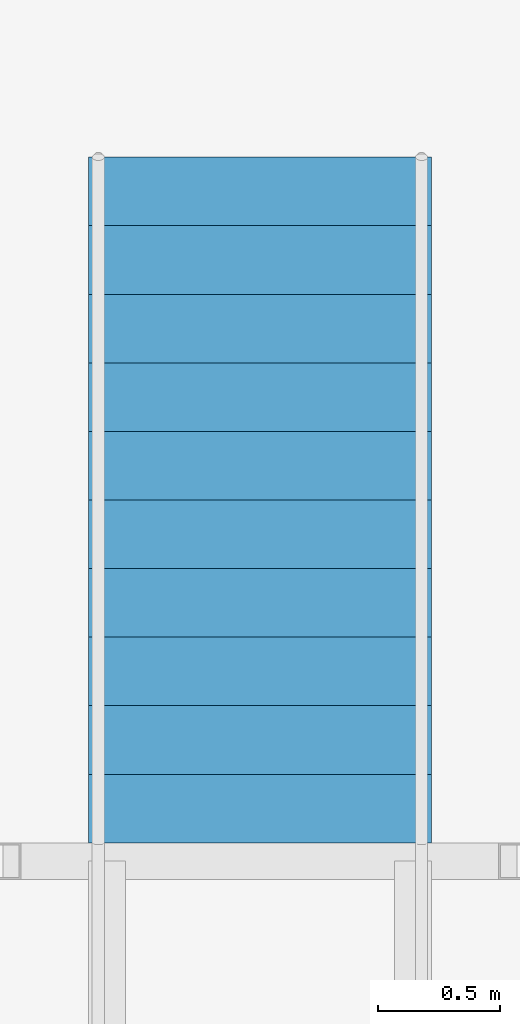
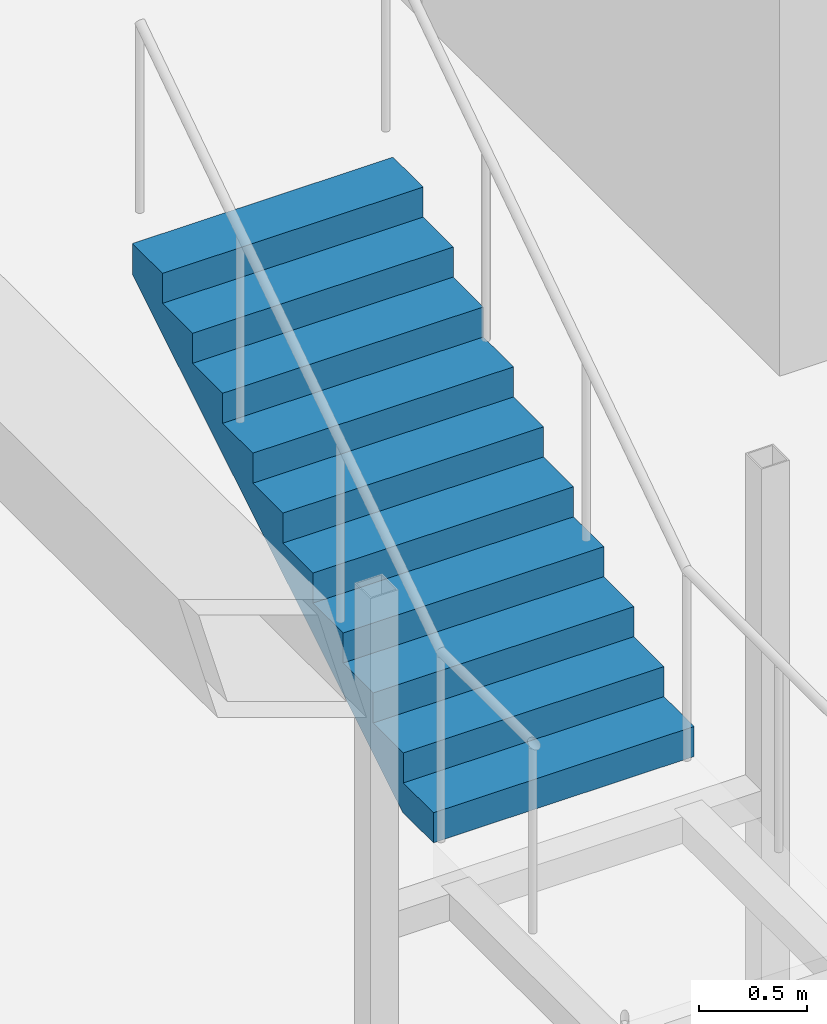
# One storey, part 25 of 26: 1 stair flight, 1 element without a shape of its own.
"""IFC4 building model written with IfcOpenShell, lengths in metres."""

import ifcopenshell
import ifcopenshell.guid

model = None  # the IFC model being written
_history = None  # IfcOwnerHistory: only IFC2X3 demands one
_inside = {}  # id of a spatial element -> (the spatial element, [elements in it])
_under = {}  # id of a project, library or spatial element -> (it, [spatial elements below it])
_declared = {}  # id of a project -> (the project, [libraries it declares])
_typed = {}  # id of a type object -> (the type object, [elements of that type])
_made_of = {}  # id of a material, layer set ... -> (it, [elements and type objects made of it])


def new_model(schema):
    """Start an empty IFC model of exactly this schema.

    Asked for "IFC4X3", IfcOpenShell would pick the latest addendum, in which some entities
    have other attributes; the version numbers below select the first issue.
    IFC2X3 requires an IfcOwnerHistory on every rooted entity: one is made here for all.
    """
    global model, _history
    if schema == "IFC4X3":
        model = ifcopenshell.file(schema_version=(4, 3, 0, 0))
    else:
        model = ifcopenshell.file(schema=schema)
    _inside.clear()
    _under.clear()
    _declared.clear()
    _typed.clear()
    _made_of.clear()
    _history = None
    if model.schema == "IFC2X3":
        org = make("IfcOrganization", Name="unknown")
        user = make(
            "IfcPersonAndOrganization",
            ThePerson=make("IfcPerson", FamilyName="unknown"),
            TheOrganization=org,
        )
        app = make(
            "IfcApplication",
            ApplicationDeveloper=org,
            Version="unknown",
            ApplicationFullName="unknown",
            ApplicationIdentifier="unknown",
        )
        _history = make(
            "IfcOwnerHistory",
            OwningUser=user,
            OwningApplication=app,
            ChangeAction="ADDED",
            CreationDate=0,
        )
    return model


def make(cls, **values):
    """One entity of the class cls with the attributes given. An attribute that is None is left unset."""
    return model.create_entity(
        cls, **{name: value for name, value in values.items() if value is not None}
    )


def rooted(cls, **values):
    """An entity with a GlobalId (a new one), such as an element, a storey or a relation."""
    return make(cls, GlobalId=ifcopenshell.guid.new(), OwnerHistory=_history, **values)


def si_unit(unit_type, name, prefix=None):
    """IfcSIUnit, for example si_unit("LENGTHUNIT", "METRE", prefix="MILLI")."""
    return make("IfcSIUnit", UnitType=unit_type, Prefix=prefix, Name=name)


def assignment(units):
    """IfcUnitAssignment: the units of a project."""
    return None if units is None else make("IfcUnitAssignment", Units=units)


def point(xyz):
    """IfcCartesianPoint."""
    return None if xyz is None else make("IfcCartesianPoint", Coordinates=xyz)


def direction(xyz):
    """IfcDirection."""
    return None if xyz is None else make("IfcDirection", DirectionRatios=xyz)


def frame(location, z_axis=None, x_axis=None):
    """IfcAxis2Placement3D, a coordinate frame: its origin and axes. An axis left out is left unset."""
    return make(
        "IfcAxis2Placement3D",
        Location=point(location),
        Axis=direction(z_axis),
        RefDirection=direction(x_axis),
    )


def origin():
    """The frame at (0, 0, 0) with its axes left unset."""
    return frame((0.0, 0.0, 0.0))


def place(relative_to, where):
    """IfcLocalPlacement: puts the frame where relative to a parent placement (None: the world)."""
    return make(
        "IfcLocalPlacement", PlacementRelTo=relative_to, RelativePlacement=where
    )


def context(
    kind, dimensions, precision=None, world=None, true_north=None, identifier=None
):
    """IfcGeometricRepresentationContext, for example the 3D "Model" context."""
    return make(
        "IfcGeometricRepresentationContext",
        ContextIdentifier=identifier,
        ContextType=kind,
        CoordinateSpaceDimension=dimensions,
        Precision=precision,
        WorldCoordinateSystem=world,
        TrueNorth=true_north,
    )


def subcontext(parent, identifier, kind, view, scale=None):
    """IfcGeometricRepresentationSubContext, for example "Body" below "Model"."""
    return make(
        "IfcGeometricRepresentationSubContext",
        ContextIdentifier=identifier,
        ContextType=kind,
        ParentContext=parent,
        TargetScale=scale,
        TargetView=view,
    )


def project(units=None, contexts=None):
    """IfcProject with its units and contexts."""
    return rooted(
        "IfcProject",
        Name="project",
        RepresentationContexts=contexts,
        UnitsInContext=assignment(units),
    )


def spatial(cls, under=None, at=None, **own):
    """A site, building, storey or space (cls), placed at a placement, below another one or the project."""
    s = rooted(cls, ObjectPlacement=at, **own)
    if under is not None:
        _under.setdefault(under.id(), (under, []))[1].append(s)
    return s


def point_list(points):
    """IfcCartesianPointList2D or 3D."""
    cls = (
        "IfcCartesianPointList2D" if len(points[0]) == 2 else "IfcCartesianPointList3D"
    )
    return make(cls, CoordList=points)


def triangles(points, corners, closed=None, point_numbers=None):
    """IfcTriangulatedFaceSet: each triangle names its three corners, points numbered from 1."""
    return make(
        "IfcTriangulatedFaceSet",
        Coordinates=point_list(points),
        Closed=closed,
        CoordIndex=corners,
        PnIndex=point_numbers,
    )


def shape(context_of_items, identifier, shape_type, items):
    """IfcShapeRepresentation: the items that make up one representation, for example the "Body"."""
    return make(
        "IfcShapeRepresentation",
        ContextOfItems=context_of_items,
        RepresentationIdentifier=identifier,
        RepresentationType=shape_type,
        Items=items,
    )


def material(Name=None, Category=None):
    """IfcMaterial."""
    return make("IfcMaterial", Name=Name, Category=Category)


def made_of(thing, what):
    """Note that an element or type object is made of a material, layer set ...; save() writes the relation."""
    if what is not None:
        _made_of.setdefault(what.id(), (what, []))[1].append(thing)
    return thing


def type_object(cls, material=None, **own):
    """A type object (cls), such as IfcWallType, which elements share."""
    return made_of(rooted(cls, **own), material)


def element(
    cls,
    number,
    at=None,
    inside=None,
    cuts=None,
    type_object=None,
    material=None,
    context=None,
    identifier="Body",
    shape_type=None,
    held_by="IfcProductDefinitionShape",
    body=None,
    shapes=None,
    **own,
):
    """One element of the class cls, such as IfcWall. Its Tag is "e" and its number.

    at: its placement. inside: the storey or other place that contains it. cuts: it is an
    opening in that element (IfcRelVoidsElement). A single representation is given by context,
    identifier, shape_type and body (its items); several are given by shapes. held_by: the class
    of the entity that holds the representations. save() writes the other relations.
    """
    e = rooted(cls, Tag="e%d" % number, ObjectPlacement=at, **own)
    if body is not None:
        shapes = [shape(context, identifier, shape_type, body)]
    if shapes is not None:
        e.Representation = make(held_by, Representations=shapes)
    if inside is not None:
        _inside.setdefault(inside.id(), (inside, []))[1].append(e)
    if cuts is not None:
        rooted(
            "IfcRelVoidsElement", RelatingBuildingElement=cuts, RelatedOpeningElement=e
        )
    if type_object is not None:
        _typed.setdefault(type_object.id(), (type_object, []))[1].append(e)
    return made_of(e, material)


def aggregate(whole, parts):
    """IfcRelAggregates: a whole, such as a stair, and the parts it consists of."""
    return rooted("IfcRelAggregates", RelatingObject=whole, RelatedObjects=parts)


def save(model, path):
    """Write the relations noted so far, then the file.

    IfcRelAggregates (storeys below a building ...), IfcRelContainedInSpatialStructure (elements
    in a storey), IfcRelDefinesByType, IfcRelAssociatesMaterial and IfcRelDeclares: one each for
    every whole, place, type object, material and project.
    """
    for whole, parts in _under.values():
        aggregate(whole, parts)
    for where, things in _inside.values():
        rooted(
            "IfcRelContainedInSpatialStructure",
            RelatedElements=things,
            RelatingStructure=where,
        )
    for kind, things in _typed.values():
        rooted("IfcRelDefinesByType", RelatedObjects=things, RelatingType=kind)
    for what, things in _made_of.values():
        rooted("IfcRelAssociatesMaterial", RelatedObjects=things, RelatingMaterial=what)
    for by, libraries in _declared.values():
        rooted("IfcRelDeclares", RelatingContext=by, RelatedDefinitions=libraries)
    model.write(path)


model = new_model("IFC4")

# Units and contexts
model_context = context("Model", 3, precision=1e-05, world=origin(), true_north=direction((0.0, 1.0)))
body_context = subcontext(model_context, "Body", "Model", "MODEL_VIEW")
ifc_project = project(units=[si_unit("LENGTHUNIT", "METRE"), si_unit("AREAUNIT", "SQUARE_METRE"), si_unit("VOLUMEUNIT", "CUBIC_METRE"), si_unit("PLANEANGLEUNIT", "RADIAN"), si_unit("MASSUNIT", "GRAM", prefix="KILO")], contexts=[model_context])

# Site, building, storey
site_placement = place(None, origin())
site = spatial("IfcSite", under=ifc_project, at=site_placement, CompositionType="ELEMENT")
building_placement = place(site_placement, origin())
building = spatial("IfcBuilding", under=site, at=building_placement, Name="Orbita Commons", CompositionType="ELEMENT")
storey_placement = place(building_placement, frame((0.0, 0.0, 114.39990234375)))
storey = spatial("IfcBuildingStorey", under=building, at=storey_placement, Name="L28", CompositionType="ELEMENT", Elevation=114.39990234375)

# Stair, stair flight
ifc_material_1 = material(Name="Steel ASTM A992 stringers, precast concrete C40/50 terrazzo treads", Category="concrete")
stair_type = type_object("IfcStairType", Name="Feature stair 22 risers 170 x 280 x 1400", PredefinedType="STRAIGHT_RUN_STAIR", material=ifc_material_1)
stair_placement = place(storey_placement, origin())
stair = element("IfcStair", 1, at=stair_placement, inside=storey, type_object=stair_type, Name="Neighbourhood stair L28 to L29", PredefinedType="STRAIGHT_RUN_STAIR")
ifc_material_2 = material(Name="Steel ASTM A992 stringers, precast concrete C40/50 terrazzo treads", Category="concrete")
stair_flight_type = type_object("IfcStairFlightType", Name="Feature stair flight 11 risers 170 x 1400", PredefinedType="STRAIGHT", material=ifc_material_2)
stair_flight_placement = place(storey_placement, frame((7.60009765625, 45.010009765625, 1.875), z_axis=(0.0, 0.0, 1.0), x_axis=(0.0, 1.0, 0.0)))
stair_flight = element("IfcStairFlight", 2, at=stair_flight_placement, type_object=stair_flight_type, Name="FS flight 2", NumberOfRisers=11, NumberOfTreads=10, PredefinedType="STRAIGHT", RiserHeight=0.170454545, TreadLength=0.28, context=body_context, shape_type="Tessellation", body=[
    triangles([(0.0, 0.699951, 0.0), (0.0, 0.699951, 0.021307), (0.0, 0.583293, 0.021307), (0.0, 0.583293, 0.0), (0.0, 0.466634, 0.021307), (0.0, 0.466634, 0.0), (0.0, 0.349976, 0.021307), (0.0, 0.349976, 0.0), (0.0, 0.233317, 0.021307), (0.0, 0.233317, 0.0), (0.0, 0.116659, 0.021307), (0.0, 0.116659, 0.0), (0.0, 0.0, 0.021307), (0.0, 0.0, 0.0), (0.0, -0.116659, 0.021307), (0.0, -0.116659, 0.0), (0.0, -0.233317, 0.021307), (0.0, -0.233317, 0.0), (0.0, -0.349976, 0.021307), (0.0, -0.349976, 0.0), (0.0, -0.466634, 0.021307), (0.0, -0.466634, 0.0), (0.0, -0.583293, 0.021307), (0.0, -0.583293, 0.0), (0.0, -0.699951, 0.021307), (0.0, -0.699951, 0.0), (0.0, 0.699951, 0.042614), (0.0, 0.583293, 0.042614), (0.0, 0.466634, 0.042614), (0.0, 0.349976, 0.042614), (0.0, 0.233317, 0.042614), (0.0, 0.116659, 0.042614), (0.0, 0.0, 0.042614), (0.0, -0.116659, 0.042614), (0.0, -0.233317, 0.042614), (0.0, -0.349976, 0.042614), (0.0, -0.466634, 0.042614), (0.0, -0.583293, 0.042614), (0.0, -0.699951, 0.042614), (0.0, 0.699951, 0.06392), (0.0, 0.583293, 0.06392), (0.0, 0.466634, 0.06392), (0.0, 0.349976, 0.06392), (0.0, 0.233317, 0.06392), (0.0, 0.116659, 0.06392), (0.0, 0.0, 0.06392), (0.0, -0.116659, 0.06392), (0.0, -0.233317, 0.06392), (0.0, -0.349976, 0.06392), (0.0, -0.466634, 0.06392), (0.0, -0.583293, 0.06392), (0.0, -0.699951, 0.06392), (0.0, 0.699951, 0.085227), (0.0, 0.583293, 0.085227), (0.0, 0.466634, 0.085227), (0.0, 0.349976, 0.085227), (0.0, 0.233317, 0.085227), (0.0, 0.116659, 0.085227), (0.0, 0.0, 0.085227), (0.0, -0.116659, 0.085227), (0.0, -0.233317, 0.085227), (0.0, -0.349976, 0.085227), (0.0, -0.466634, 0.085227), (0.0, -0.583293, 0.085227), (0.0, -0.699951, 0.085227), (0.0, 0.699951, 0.106534), (0.0, 0.583293, 0.106534), (0.0, 0.466634, 0.106534), (0.0, 0.349976, 0.106534), (0.0, 0.233317, 0.106534), (0.0, 0.116659, 0.106534), (0.0, 0.0, 0.106534), (0.0, -0.116659, 0.106534), (0.0, -0.233317, 0.106534), (0.0, -0.349976, 0.106534), (0.0, -0.466634, 0.106534), (0.0, -0.583293, 0.106534), (0.0, -0.699951, 0.106534), (0.0, 0.699951, 0.127841), (0.0, 0.583293, 0.127841), (0.0, 0.466634, 0.127841), (0.0, 0.349976, 0.127841), (0.0, 0.233317, 0.127841), (0.0, 0.116659, 0.127841), (0.0, 0.0, 0.127841), (0.0, -0.116659, 0.127841), (0.0, -0.233317, 0.127841), (0.0, -0.349976, 0.127841), (0.0, -0.466634, 0.127841), (0.0, -0.583293, 0.127841), (0.0, -0.699951, 0.127841), (0.0, 0.699951, 0.149148), (0.0, 0.583293, 0.149148), (0.0, 0.466634, 0.149148), (0.0, 0.349976, 0.149148), (0.0, 0.233317, 0.149148), (0.0, 0.116659, 0.149148), (0.0, 0.0, 0.149148), (0.0, -0.116659, 0.149148), (0.0, -0.233317, 0.149148), (0.0, -0.349976, 0.149148), (0.0, -0.466634, 0.149148), (0.0, -0.583293, 0.149148), (0.0, -0.699951, 0.149148), (0.0, 0.699951, 0.170455), (0.0, 0.583293, 0.170455), (0.0, 0.466634, 0.170455), (0.0, 0.349976, 0.170455), (0.0, 0.233317, 0.170455), (0.0, 0.116659, 0.170455), (0.0, 0.0, 0.170455), (0.0, -0.116659, 0.170455), (0.0, -0.233317, 0.170455), (0.0, -0.349976, 0.170455), (0.0, -0.466634, 0.170455), (0.0, -0.583293, 0.170455), (0.0, -0.699951, 0.170455), (0.28, 0.699951, 0.170455), (0.28, 0.583293, 0.170455), (0.28, 0.466634, 0.170455), (0.28, 0.349976, 0.170455), (0.28, 0.233317, 0.170455), (0.28, 0.116659, 0.170455), (0.28, 0.0, 0.170455), (0.28, -0.116659, 0.170455), (0.28, -0.233317, 0.170455), (0.28, -0.349976, 0.170455), (0.28, -0.466634, 0.170455), (0.28, -0.583293, 0.170455), (0.28, -0.699951, 0.170455), (0.28, 0.699951, 0.340909), (0.28, 0.583293, 0.340909), (0.28, 0.466634, 0.340909), (0.28, 0.349976, 0.340909), (0.28, 0.233317, 0.340909), (0.28, 0.116659, 0.340909), (0.28, 0.0, 0.340909), (0.28, -0.116659, 0.340909), (0.28, -0.233317, 0.340909), (0.28, -0.349976, 0.340909), (0.28, -0.466634, 0.340909), (0.28, -0.583293, 0.340909), (0.28, -0.699951, 0.340909), (0.56, 0.699951, 0.340909), (0.56, 0.583293, 0.340909), (0.56, 0.466634, 0.340909), (0.56, 0.349976, 0.340909), (0.56, 0.233317, 0.340909), (0.56, 0.116659, 0.340909), (0.56, 0.0, 0.340909), (0.56, -0.116659, 0.340909), (0.56, -0.233317, 0.340909), (0.56, -0.349976, 0.340909), (0.56, -0.466634, 0.340909), (0.56, -0.583293, 0.340909), (0.56, -0.699951, 0.340909), (0.56, 0.699951, 0.511364), (0.56, 0.583293, 0.511364), (0.56, 0.466634, 0.511364), (0.56, 0.349976, 0.511364), (0.56, 0.233317, 0.511364), (0.56, 0.116659, 0.511364), (0.56, 0.0, 0.511364), (0.56, -0.116659, 0.511364), (0.56, -0.233317, 0.511364), (0.56, -0.349976, 0.511364), (0.56, -0.466634, 0.511364), (0.56, -0.583293, 0.511364), (0.56, -0.699951, 0.511364), (0.84, 0.699951, 0.511364), (0.84, 0.583293, 0.511364), (0.84, 0.466634, 0.511364), (0.84, 0.349976, 0.511364), (0.84, 0.233317, 0.511364), (0.84, 0.116659, 0.511364), (0.84, 0.0, 0.511364), (0.84, -0.116659, 0.511364), (0.84, -0.233317, 0.511364), (0.84, -0.349976, 0.511364), (0.84, -0.466634, 0.511364), (0.84, -0.583293, 0.511364), (0.84, -0.699951, 0.511364), (0.84, 0.699951, 0.681818), (0.84, 0.583293, 0.681818), (0.84, 0.466634, 0.681818), (0.84, 0.349976, 0.681818), (0.84, 0.233317, 0.681818), (0.84, 0.116659, 0.681818), (0.84, 0.0, 0.681818), (0.84, -0.116659, 0.681818), (0.84, -0.233317, 0.681818), (0.84, -0.349976, 0.681818), (0.84, -0.466634, 0.681818), (0.84, -0.583293, 0.681818), (0.84, -0.699951, 0.681818), (1.12, 0.699951, 0.681818), (1.12, 0.583293, 0.681818), (1.12, 0.466634, 0.681818), (1.12, 0.349976, 0.681818), (1.12, 0.233317, 0.681818), (1.12, 0.116659, 0.681818), (1.12, 0.0, 0.681818), (1.12, -0.116659, 0.681818), (1.12, -0.233317, 0.681818), (1.12, -0.349976, 0.681818), (1.12, -0.466634, 0.681818), (1.12, -0.583293, 0.681818), (1.12, -0.699951, 0.681818), (1.12, 0.699951, 0.852273), (1.12, 0.583293, 0.852273), (1.12, 0.466634, 0.852273), (1.12, 0.349976, 0.852273), (1.12, 0.233317, 0.852273), (1.12, 0.116659, 0.852273), (1.12, 0.0, 0.852273), (1.12, -0.116659, 0.852273), (1.12, -0.233317, 0.852273), (1.12, -0.349976, 0.852273), (1.12, -0.466634, 0.852273), (1.12, -0.583293, 0.852273), (1.12, -0.699951, 0.852273), (1.4, 0.699951, 0.852273), (1.4, 0.583293, 0.852273), (1.4, 0.466634, 0.852273), (1.4, 0.349976, 0.852273), (1.4, 0.233317, 0.852273), (1.4, 0.116659, 0.852273), (1.4, 0.0, 0.852273), (1.4, -0.116659, 0.852273), (1.4, -0.233317, 0.852273), (1.4, -0.349976, 0.852273), (1.4, -0.466634, 0.852273), (1.4, -0.583293, 0.852273), (1.4, -0.699951, 0.852273), (1.4, 0.699951, 1.022727), (1.4, 0.583293, 1.022727), (1.4, 0.466634, 1.022727), (1.4, 0.349976, 1.022727), (1.4, 0.233317, 1.022727), (1.4, 0.116659, 1.022727), (1.4, 0.0, 1.022727), (1.4, -0.116659, 1.022727), (1.4, -0.233317, 1.022727), (1.4, -0.349976, 1.022727), (1.4, -0.466634, 1.022727), (1.4, -0.583293, 1.022727), (1.4, -0.699951, 1.022727), (1.68, 0.699951, 1.022727), (1.68, 0.583293, 1.022727), (1.68, 0.466634, 1.022727), (1.68, 0.349976, 1.022727), (1.68, 0.233317, 1.022727), (1.68, 0.116659, 1.022727), (1.68, 0.0, 1.022727), (1.68, -0.116659, 1.022727), (1.68, -0.233317, 1.022727), (1.68, -0.349976, 1.022727), (1.68, -0.466634, 1.022727), (1.68, -0.583293, 1.022727), (1.68, -0.699951, 1.022727), (1.68, 0.699951, 1.193182), (1.68, 0.583293, 1.193182), (1.68, 0.466634, 1.193182), (1.68, 0.349976, 1.193182), (1.68, 0.233317, 1.193182), (1.68, 0.116659, 1.193182), (1.68, 0.0, 1.193182), (1.68, -0.116659, 1.193182), (1.68, -0.233317, 1.193182), (1.68, -0.349976, 1.193182), (1.68, -0.466634, 1.193182), (1.68, -0.583293, 1.193182), (1.68, -0.699951, 1.193182), (1.96, 0.699951, 1.193182), (1.96, 0.583293, 1.193182), (1.96, 0.466634, 1.193182), (1.96, 0.349976, 1.193182), (1.96, 0.233317, 1.193182), (1.96, 0.116659, 1.193182), (1.96, 0.0, 1.193182), (1.96, -0.116659, 1.193182), (1.96, -0.233317, 1.193182), (1.96, -0.349976, 1.193182), (1.96, -0.466634, 1.193182), (1.96, -0.583293, 1.193182), (1.96, -0.699951, 1.193182), (1.96, 0.699951, 1.363636), (1.96, 0.583293, 1.363636), (1.96, 0.466634, 1.363636), (1.96, 0.349976, 1.363636), (1.96, 0.233317, 1.363636), (1.96, 0.116659, 1.363636), (1.96, 0.0, 1.363636), (1.96, -0.116659, 1.363636), (1.96, -0.233317, 1.363636), (1.96, -0.349976, 1.363636), (1.96, -0.466634, 1.363636), (1.96, -0.583293, 1.363636), (1.96, -0.699951, 1.363636), (2.24, 0.699951, 1.363636), (2.24, 0.583293, 1.363636), (2.24, 0.466634, 1.363636), (2.24, 0.349976, 1.363636), (2.24, 0.233317, 1.363636), (2.24, 0.116659, 1.363636), (2.24, 0.0, 1.363636), (2.24, -0.116659, 1.363636), (2.24, -0.233317, 1.363636), (2.24, -0.349976, 1.363636), (2.24, -0.466634, 1.363636), (2.24, -0.583293, 1.363636), (2.24, -0.699951, 1.363636), (2.24, 0.699951, 1.534091), (2.24, 0.583293, 1.534091), (2.24, 0.466634, 1.534091), (2.24, 0.349976, 1.534091), (2.24, 0.233317, 1.534091), (2.24, 0.116659, 1.534091), (2.24, 0.0, 1.534091), (2.24, -0.116659, 1.534091), (2.24, -0.233317, 1.534091), (2.24, -0.349976, 1.534091), (2.24, -0.466634, 1.534091), (2.24, -0.583293, 1.534091), (2.24, -0.699951, 1.534091), (2.52, 0.699951, 1.534091), (2.52, 0.583293, 1.534091), (2.52, 0.466634, 1.534091), (2.52, 0.349976, 1.534091), (2.52, 0.233317, 1.534091), (2.52, 0.116659, 1.534091), (2.52, 0.0, 1.534091), (2.52, -0.116659, 1.534091), (2.52, -0.233317, 1.534091), (2.52, -0.349976, 1.534091), (2.52, -0.466634, 1.534091), (2.52, -0.583293, 1.534091), (2.52, -0.699951, 1.534091), (2.52, 0.699951, 1.704545), (2.52, 0.583293, 1.704545), (2.52, 0.466634, 1.704545), (2.52, 0.349976, 1.704545), (2.52, 0.233317, 1.704545), (2.52, 0.116659, 1.704545), (2.52, 0.0, 1.704545), (2.52, -0.116659, 1.704545), (2.52, -0.233317, 1.704545), (2.52, -0.349976, 1.704545), (2.52, -0.466634, 1.704545), (2.52, -0.583293, 1.704545), (2.52, -0.699951, 1.704545), (2.8, 0.699951, 1.704545), (2.8, 0.583293, 1.704545), (2.8, 0.466634, 1.704545), (2.8, 0.349976, 1.704545), (2.8, 0.233317, 1.704545), (2.8, 0.116659, 1.704545), (2.8, 0.0, 1.704545), (2.8, -0.116659, 1.704545), (2.8, -0.233317, 1.704545), (2.8, -0.349976, 1.704545), (2.8, -0.466634, 1.704545), (2.8, -0.583293, 1.704545), (2.8, -0.699951, 1.704545), (2.8, 0.699951, 1.682609), (2.8, 0.583293, 1.682609), (2.8, 0.466634, 1.682609), (2.8, 0.349976, 1.682609), (2.8, 0.233317, 1.682609), (2.8, 0.116659, 1.682609), (2.8, 0.0, 1.682609), (2.8, -0.116659, 1.682609), (2.8, -0.233317, 1.682609), (2.8, -0.349976, 1.682609), (2.8, -0.466634, 1.682609), (2.8, -0.583293, 1.682609), (2.8, -0.699951, 1.682609), (2.8, 0.699951, 1.660672), (2.8, 0.583293, 1.660672), (2.8, 0.466634, 1.660672), (2.8, 0.349976, 1.660672), (2.8, 0.233317, 1.660672), (2.8, 0.116659, 1.660672), (2.8, 0.0, 1.660672), (2.8, -0.116659, 1.660672), (2.8, -0.233317, 1.660672), (2.8, -0.349976, 1.660672), (2.8, -0.466634, 1.660672), (2.8, -0.583293, 1.660672), (2.8, -0.699951, 1.660672), (2.8, 0.699951, 1.638735), (2.8, 0.583293, 1.638735), (2.8, 0.466634, 1.638735), (2.8, 0.349976, 1.638735), (2.8, 0.233317, 1.638735), (2.8, 0.116659, 1.638735), (2.8, 0.0, 1.638735), (2.8, -0.116659, 1.638735), (2.8, -0.233317, 1.638735), (2.8, -0.349976, 1.638735), (2.8, -0.466634, 1.638735), (2.8, -0.583293, 1.638735), (2.8, -0.699951, 1.638735), (2.8, 0.699951, 1.616798), (2.8, 0.583293, 1.616798), (2.8, 0.466634, 1.616798), (2.8, 0.349976, 1.616798), (2.8, 0.233317, 1.616798), (2.8, 0.116659, 1.616798), (2.8, 0.0, 1.616798), (2.8, -0.116659, 1.616798), (2.8, -0.233317, 1.616798), (2.8, -0.349976, 1.616798), (2.8, -0.466634, 1.616798), (2.8, -0.583293, 1.616798), (2.8, -0.699951, 1.616798), (2.8, 0.699951, 1.594861), (2.8, 0.583293, 1.594861), (2.8, 0.466634, 1.594861), (2.8, 0.349976, 1.594861), (2.8, 0.233317, 1.594861), (2.8, 0.116659, 1.594861), (2.8, 0.0, 1.594861), (2.8, -0.116659, 1.594861), (2.8, -0.233317, 1.594861), (2.8, -0.349976, 1.594861), (2.8, -0.466634, 1.594861), (2.8, -0.583293, 1.594861), (2.8, -0.699951, 1.594861), (2.8, 0.699951, 1.572925), (2.8, 0.583293, 1.572925), (2.8, 0.466634, 1.572925), (2.8, 0.349976, 1.572925), (2.8, 0.233317, 1.572925), (2.8, 0.116659, 1.572925), (2.8, 0.0, 1.572925), (2.8, -0.116659, 1.572925), (2.8, -0.233317, 1.572925), (2.8, -0.349976, 1.572925), (2.8, -0.466634, 1.572925), (2.8, -0.583293, 1.572925), (2.8, -0.699951, 1.572925), (2.8, 0.699951, 1.550988), (2.8, 0.583293, 1.550988), (2.8, 0.466634, 1.550988), (2.8, 0.349976, 1.550988), (2.8, 0.233317, 1.550988), (2.8, 0.116659, 1.550988), (2.8, 0.0, 1.550988), (2.8, -0.116659, 1.550988), (2.8, -0.233317, 1.550988), (2.8, -0.349976, 1.550988), (2.8, -0.466634, 1.550988), (2.8, -0.583293, 1.550988), (2.8, -0.699951, 1.550988), (2.8, 0.699951, 1.529051), (2.8, 0.583293, 1.529051), (2.8, 0.466634, 1.529051), (2.8, 0.349976, 1.529051), (2.8, 0.233317, 1.529051), (2.8, 0.116659, 1.529051), (2.8, 0.0, 1.529051), (2.8, -0.116659, 1.529051), (2.8, -0.233317, 1.529051), (2.8, -0.349976, 1.529051), (2.8, -0.466634, 1.529051), (2.8, -0.583293, 1.529051), (2.8, -0.699951, 1.529051), (0.288279, 0.699951, 0.0), (0.288279, 0.583293, 0.0), (0.288279, 0.466634, 0.0), (0.288279, 0.349976, 0.0), (0.288279, 0.233317, 0.0), (0.288279, 0.116659, 0.0), (0.288279, 0.0, 0.0), (0.288279, -0.116659, 0.0), (0.288279, -0.233317, 0.0), (0.288279, -0.349976, 0.0), (0.288279, -0.466634, 0.0), (0.288279, -0.583293, 0.0), (0.288279, -0.699951, 0.0)], [[3, 2, 1], [4, 3, 1], [5, 3, 4], [6, 5, 4], [7, 5, 6], [8, 7, 6], [9, 7, 8], [10, 9, 8], [11, 9, 10], [12, 11, 10], [13, 11, 12], [14, 13, 12], [15, 13, 14], [16, 15, 14], [17, 15, 16], [18, 17, 16], [19, 17, 18], [20, 19, 18], [21, 19, 20], [22, 21, 20], [23, 21, 22], [24, 23, 22], [25, 23, 24], [26, 25, 24], [28, 27, 2], [3, 28, 2], [29, 28, 3], [5, 29, 3], [30, 29, 5], [7, 30, 5], [31, 30, 7], [9, 31, 7], [32, 31, 9], [11, 32, 9], [33, 32, 11], [13, 33, 11], [34, 33, 13], [15, 34, 13], [35, 34, 15], [17, 35, 15], [36, 35, 17], [19, 36, 17], [37, 36, 19], [21, 37, 19], [38, 37, 21], [23, 38, 21], [39, 38, 23], [25, 39, 23], [41, 40, 27], [28, 41, 27], [42, 41, 28], [29, 42, 28], [43, 42, 29], [30, 43, 29], [44, 43, 30], [31, 44, 30], [45, 44, 31], [32, 45, 31], [46, 45, 32], [33, 46, 32], [47, 46, 33], [34, 47, 33], [48, 47, 34], [35, 48, 34], [49, 48, 35], [36, 49, 35], [50, 49, 36], [37, 50, 36], [51, 50, 37], [38, 51, 37], [52, 51, 38], [39, 52, 38], [54, 53, 40], [41, 54, 40], [55, 54, 41], [42, 55, 41], [56, 55, 42], [43, 56, 42], [57, 56, 43], [44, 57, 43], [58, 57, 44], [45, 58, 44], [59, 58, 45], [46, 59, 45], [60, 59, 46], [47, 60, 46], [61, 60, 47], [48, 61, 47], [62, 61, 48], [49, 62, 48], [63, 62, 49], [50, 63, 49], [64, 63, 50], [51, 64, 50], [65, 64, 51], [52, 65, 51], [67, 66, 53], [54, 67, 53], [68, 67, 54], [55, 68, 54], [69, 68, 55], [56, 69, 55], [70, 69, 56], [57, 70, 56], [71, 70, 57], [58, 71, 57], [72, 71, 58], [59, 72, 58], [73, 72, 59], [60, 73, 59], [74, 73, 60], [61, 74, 60], [75, 74, 61], [62, 75, 61], [76, 75, 62], [63, 76, 62], [77, 76, 63], [64, 77, 63], [78, 77, 64], [65, 78, 64], [80, 79, 66], [67, 80, 66], [81, 80, 67], [68, 81, 67], [82, 81, 68], [69, 82, 68], [83, 82, 69], [70, 83, 69], [84, 83, 70], [71, 84, 70], [85, 84, 71], [72, 85, 71], [86, 85, 72], [73, 86, 72], [87, 86, 73], [74, 87, 73], [88, 87, 74], [75, 88, 74], [89, 88, 75], [76, 89, 75], [90, 89, 76], [77, 90, 76], [91, 90, 77], [78, 91, 77], [93, 92, 79], [80, 93, 79], [94, 93, 80], [81, 94, 80], [95, 94, 81], [82, 95, 81], [96, 95, 82], [83, 96, 82], [97, 96, 83], [84, 97, 83], [98, 97, 84], [85, 98, 84], [99, 98, 85], [86, 99, 85], [100, 99, 86], [87, 100, 86], [101, 100, 87], [88, 101, 87], [102, 101, 88], [89, 102, 88], [103, 102, 89], [90, 103, 89], [104, 103, 90], [91, 104, 90], [106, 105, 92], [93, 106, 92], [107, 106, 93], [94, 107, 93], [108, 107, 94], [95, 108, 94], [109, 108, 95], [96, 109, 95], [110, 109, 96], [97, 110, 96], [111, 110, 97], [98, 111, 97], [112, 111, 98], [99, 112, 98], [113, 112, 99], [100, 113, 99], [114, 113, 100], [101, 114, 100], [115, 114, 101], [102, 115, 101], [116, 115, 102], [103, 116, 102], [117, 116, 103], [104, 117, 103], [119, 118, 105], [106, 119, 105], [120, 119, 106], [107, 120, 106], [121, 120, 107], [108, 121, 107], [122, 121, 108], [109, 122, 108], [123, 122, 109], [110, 123, 109], [124, 123, 110], [111, 124, 110], [125, 124, 111], [112, 125, 111], [126, 125, 112], [113, 126, 112], [127, 126, 113], [114, 127, 113], [128, 127, 114], [115, 128, 114], [129, 128, 115], [116, 129, 115], [130, 129, 116], [117, 130, 116], [132, 131, 118], [119, 132, 118], [133, 132, 119], [120, 133, 119], [134, 133, 120], [121, 134, 120], [135, 134, 121], [122, 135, 121], [136, 135, 122], [123, 136, 122], [137, 136, 123], [124, 137, 123], [138, 137, 124], [125, 138, 124], [139, 138, 125], [126, 139, 125], [140, 139, 126], [127, 140, 126], [141, 140, 127], [128, 141, 127], [142, 141, 128], [129, 142, 128], [143, 142, 129], [130, 143, 129], [145, 144, 131], [132, 145, 131], [146, 145, 132], [133, 146, 132], [147, 146, 133], [134, 147, 133], [148, 147, 134], [135, 148, 134], [149, 148, 135], [136, 149, 135], [150, 149, 136], [137, 150, 136], [151, 150, 137], [138, 151, 137], [152, 151, 138], [139, 152, 138], [153, 152, 139], [140, 153, 139], [154, 153, 140], [141, 154, 140], [155, 154, 141], [142, 155, 141], [156, 155, 142], [143, 156, 142], [158, 157, 144], [145, 158, 144], [159, 158, 145], [146, 159, 145], [160, 159, 146], [147, 160, 146], [161, 160, 147], [148, 161, 147], [162, 161, 148], [149, 162, 148], [163, 162, 149], [150, 163, 149], [164, 163, 150], [151, 164, 150], [165, 164, 151], [152, 165, 151], [166, 165, 152], [153, 166, 152], [167, 166, 153], [154, 167, 153], [168, 167, 154], [155, 168, 154], [169, 168, 155], [156, 169, 155], [171, 170, 157], [158, 171, 157], [172, 171, 158], [159, 172, 158], [173, 172, 159], [160, 173, 159], [174, 173, 160], [161, 174, 160], [175, 174, 161], [162, 175, 161], [176, 175, 162], [163, 176, 162], [177, 176, 163], [164, 177, 163], [178, 177, 164], [165, 178, 164], [179, 178, 165], [166, 179, 165], [180, 179, 166], [167, 180, 166], [181, 180, 167], [168, 181, 167], [182, 181, 168], [169, 182, 168], [184, 183, 170], [171, 184, 170], [185, 184, 171], [172, 185, 171], [186, 185, 172], [173, 186, 172], [187, 186, 173], [174, 187, 173], [188, 187, 174], [175, 188, 174], [189, 188, 175], [176, 189, 175], [190, 189, 176], [177, 190, 176], [191, 190, 177], [178, 191, 177], [192, 191, 178], [179, 192, 178], [193, 192, 179], [180, 193, 179], [194, 193, 180], [181, 194, 180], [195, 194, 181], [182, 195, 181], [197, 196, 183], [184, 197, 183], [198, 197, 184], [185, 198, 184], [199, 198, 185], [186, 199, 185], [200, 199, 186], [187, 200, 186], [201, 200, 187], [188, 201, 187], [202, 201, 188], [189, 202, 188], [203, 202, 189], [190, 203, 189], [204, 203, 190], [191, 204, 190], [205, 204, 191], [192, 205, 191], [206, 205, 192], [193, 206, 192], [207, 206, 193], [194, 207, 193], [208, 207, 194], [195, 208, 194], [210, 209, 196], [197, 210, 196], [211, 210, 197], [198, 211, 197], [212, 211, 198], [199, 212, 198], [213, 212, 199], [200, 213, 199], [214, 213, 200], [201, 214, 200], [215, 214, 201], [202, 215, 201], [216, 215, 202], [203, 216, 202], [217, 216, 203], [204, 217, 203], [218, 217, 204], [205, 218, 204], [219, 218, 205], [206, 219, 205], [220, 219, 206], [207, 220, 206], [221, 220, 207], [208, 221, 207], [223, 222, 209], [210, 223, 209], [224, 223, 210], [211, 224, 210], [225, 224, 211], [212, 225, 211], [226, 225, 212], [213, 226, 212], [227, 226, 213], [214, 227, 213], [228, 227, 214], [215, 228, 214], [229, 228, 215], [216, 229, 215], [230, 229, 216], [217, 230, 216], [231, 230, 217], [218, 231, 217], [232, 231, 218], [219, 232, 218], [233, 232, 219], [220, 233, 219], [234, 233, 220], [221, 234, 220], [236, 235, 222], [223, 236, 222], [237, 236, 223], [224, 237, 223], [238, 237, 224], [225, 238, 224], [239, 238, 225], [226, 239, 225], [240, 239, 226], [227, 240, 226], [241, 240, 227], [228, 241, 227], [242, 241, 228], [229, 242, 228], [243, 242, 229], [230, 243, 229], [244, 243, 230], [231, 244, 230], [245, 244, 231], [232, 245, 231], [246, 245, 232], [233, 246, 232], [247, 246, 233], [234, 247, 233], [249, 248, 235], [236, 249, 235], [250, 249, 236], [237, 250, 236], [251, 250, 237], [238, 251, 237], [252, 251, 238], [239, 252, 238], [253, 252, 239], [240, 253, 239], [254, 253, 240], [241, 254, 240], [255, 254, 241], [242, 255, 241], [256, 255, 242], [243, 256, 242], [257, 256, 243], [244, 257, 243], [258, 257, 244], [245, 258, 244], [259, 258, 245], [246, 259, 245], [260, 259, 246], [247, 260, 246], [262, 261, 248], [249, 262, 248], [263, 262, 249], [250, 263, 249], [264, 263, 250], [251, 264, 250], [265, 264, 251], [252, 265, 251], [266, 265, 252], [253, 266, 252], [267, 266, 253], [254, 267, 253], [268, 267, 254], [255, 268, 254], [269, 268, 255], [256, 269, 255], [270, 269, 256], [257, 270, 256], [271, 270, 257], [258, 271, 257], [272, 271, 258], [259, 272, 258], [273, 272, 259], [260, 273, 259], [275, 274, 261], [262, 275, 261], [276, 275, 262], [263, 276, 262], [277, 276, 263], [264, 277, 263], [278, 277, 264], [265, 278, 264], [279, 278, 265], [266, 279, 265], [280, 279, 266], [267, 280, 266], [281, 280, 267], [268, 281, 267], [282, 281, 268], [269, 282, 268], [283, 282, 269], [270, 283, 269], [284, 283, 270], [271, 284, 270], [285, 284, 271], [272, 285, 271], [286, 285, 272], [273, 286, 272], [288, 287, 274], [275, 288, 274], [289, 288, 275], [276, 289, 275], [290, 289, 276], [277, 290, 276], [291, 290, 277], [278, 291, 277], [292, 291, 278], [279, 292, 278], [293, 292, 279], [280, 293, 279], [294, 293, 280], [281, 294, 280], [295, 294, 281], [282, 295, 281], [296, 295, 282], [283, 296, 282], [297, 296, 283], [284, 297, 283], [298, 297, 284], [285, 298, 284], [299, 298, 285], [286, 299, 285], [301, 300, 287], [288, 301, 287], [302, 301, 288], [289, 302, 288], [303, 302, 289], [290, 303, 289], [304, 303, 290], [291, 304, 290], [305, 304, 291], [292, 305, 291], [306, 305, 292], [293, 306, 292], [307, 306, 293], [294, 307, 293], [308, 307, 294], [295, 308, 294], [309, 308, 295], [296, 309, 295], [310, 309, 296], [297, 310, 296], [311, 310, 297], [298, 311, 297], [312, 311, 298], [299, 312, 298], [314, 313, 300], [301, 314, 300], [315, 314, 301], [302, 315, 301], [316, 315, 302], [303, 316, 302], [317, 316, 303], [304, 317, 303], [318, 317, 304], [305, 318, 304], [319, 318, 305], [306, 319, 305], [320, 319, 306], [307, 320, 306], [321, 320, 307], [308, 321, 307], [322, 321, 308], [309, 322, 308], [323, 322, 309], [310, 323, 309], [324, 323, 310], [311, 324, 310], [325, 324, 311], [312, 325, 311], [327, 326, 313], [314, 327, 313], [328, 327, 314], [315, 328, 314], [329, 328, 315], [316, 329, 315], [330, 329, 316], [317, 330, 316], [331, 330, 317], [318, 331, 317], [332, 331, 318], [319, 332, 318], [333, 332, 319], [320, 333, 319], [334, 333, 320], [321, 334, 320], [335, 334, 321], [322, 335, 321], [336, 335, 322], [323, 336, 322], [337, 336, 323], [324, 337, 323], [338, 337, 324], [325, 338, 324], [340, 339, 326], [327, 340, 326], [341, 340, 327], [328, 341, 327], [342, 341, 328], [329, 342, 328], [343, 342, 329], [330, 343, 329], [344, 343, 330], [331, 344, 330], [345, 344, 331], [332, 345, 331], [346, 345, 332], [333, 346, 332], [347, 346, 333], [334, 347, 333], [348, 347, 334], [335, 348, 334], [349, 348, 335], [336, 349, 335], [350, 349, 336], [337, 350, 336], [351, 350, 337], [338, 351, 337], [353, 352, 339], [340, 353, 339], [354, 353, 340], [341, 354, 340], [355, 354, 341], [342, 355, 341], [356, 355, 342], [343, 356, 342], [357, 356, 343], [344, 357, 343], [358, 357, 344], [345, 358, 344], [359, 358, 345], [346, 359, 345], [360, 359, 346], [347, 360, 346], [361, 360, 347], [348, 361, 347], [362, 361, 348], [349, 362, 348], [363, 362, 349], [350, 363, 349], [364, 363, 350], [351, 364, 350], [366, 365, 352], [353, 366, 352], [367, 366, 353], [354, 367, 353], [368, 367, 354], [355, 368, 354], [369, 368, 355], [356, 369, 355], [370, 369, 356], [357, 370, 356], [371, 370, 357], [358, 371, 357], [372, 371, 358], [359, 372, 358], [373, 372, 359], [360, 373, 359], [374, 373, 360], [361, 374, 360], [375, 374, 361], [362, 375, 361], [376, 375, 362], [363, 376, 362], [377, 376, 363], [364, 377, 363], [379, 378, 365], [366, 379, 365], [380, 379, 366], [367, 380, 366], [381, 380, 367], [368, 381, 367], [382, 381, 368], [369, 382, 368], [383, 382, 369], [370, 383, 369], [384, 383, 370], [371, 384, 370], [385, 384, 371], [372, 385, 371], [386, 385, 372], [373, 386, 372], [387, 386, 373], [374, 387, 373], [388, 387, 374], [375, 388, 374], [389, 388, 375], [376, 389, 375], [390, 389, 376], [377, 390, 376], [392, 391, 378], [379, 392, 378], [393, 392, 379], [380, 393, 379], [394, 393, 380], [381, 394, 380], [395, 394, 381], [382, 395, 381], [396, 395, 382], [383, 396, 382], [397, 396, 383], [384, 397, 383], [398, 397, 384], [385, 398, 384], [399, 398, 385], [386, 399, 385], [400, 399, 386], [387, 400, 386], [401, 400, 387], [388, 401, 387], [402, 401, 388], [389, 402, 388], [403, 402, 389], [390, 403, 389], [405, 404, 391], [392, 405, 391], [406, 405, 392], [393, 406, 392], [407, 406, 393], [394, 407, 393], [408, 407, 394], [395, 408, 394], [409, 408, 395], [396, 409, 395], [410, 409, 396], [397, 410, 396], [411, 410, 397], [398, 411, 397], [412, 411, 398], [399, 412, 398], [413, 412, 399], [400, 413, 399], [414, 413, 400], [401, 414, 400], [415, 414, 401], [402, 415, 401], [416, 415, 402], [403, 416, 402], [418, 417, 404], [405, 418, 404], [419, 418, 405], [406, 419, 405], [420, 419, 406], [407, 420, 406], [421, 420, 407], [408, 421, 407], [422, 421, 408], [409, 422, 408], [423, 422, 409], [410, 423, 409], [424, 423, 410], [411, 424, 410], [425, 424, 411], [412, 425, 411], [426, 425, 412], [413, 426, 412], [427, 426, 413], [414, 427, 413], [428, 427, 414], [415, 428, 414], [429, 428, 415], [416, 429, 415], [431, 430, 417], [418, 431, 417], [432, 431, 418], [419, 432, 418], [433, 432, 419], [420, 433, 419], [434, 433, 420], [421, 434, 420], [435, 434, 421], [422, 435, 421], [436, 435, 422], [423, 436, 422], [437, 436, 423], [424, 437, 423], [438, 437, 424], [425, 438, 424], [439, 438, 425], [426, 439, 425], [440, 439, 426], [427, 440, 426], [441, 440, 427], [428, 441, 427], [442, 441, 428], [429, 442, 428], [444, 443, 430], [431, 444, 430], [445, 444, 431], [432, 445, 431], [446, 445, 432], [433, 446, 432], [447, 446, 433], [434, 447, 433], [448, 447, 434], [435, 448, 434], [449, 448, 435], [436, 449, 435], [450, 449, 436], [437, 450, 436], [451, 450, 437], [438, 451, 437], [452, 451, 438], [439, 452, 438], [453, 452, 439], [440, 453, 439], [454, 453, 440], [441, 454, 440], [455, 454, 441], [442, 455, 441], [457, 456, 443], [444, 457, 443], [458, 457, 444], [445, 458, 444], [459, 458, 445], [446, 459, 445], [460, 459, 446], [447, 460, 446], [461, 460, 447], [448, 461, 447], [462, 461, 448], [449, 462, 448], [463, 462, 449], [450, 463, 449], [464, 463, 450], [451, 464, 450], [465, 464, 451], [452, 465, 451], [466, 465, 452], [453, 466, 452], [467, 466, 453], [454, 467, 453], [468, 467, 454], [455, 468, 454], [470, 469, 456], [457, 470, 456], [471, 470, 457], [458, 471, 457], [472, 471, 458], [459, 472, 458], [473, 472, 459], [460, 473, 459], [474, 473, 460], [461, 474, 460], [475, 474, 461], [462, 475, 461], [476, 475, 462], [463, 476, 462], [477, 476, 463], [464, 477, 463], [478, 477, 464], [465, 478, 464], [479, 478, 465], [466, 479, 465], [480, 479, 466], [467, 480, 466], [481, 480, 467], [468, 481, 467], [4, 1, 469], [470, 4, 469], [6, 4, 470], [471, 6, 470], [8, 6, 471], [472, 8, 471], [10, 8, 472], [473, 10, 472], [12, 10, 473], [474, 12, 473], [14, 12, 474], [475, 14, 474], [16, 14, 475], [476, 16, 475], [18, 16, 476], [477, 18, 476], [20, 18, 477], [478, 20, 477], [22, 20, 478], [479, 22, 478], [24, 22, 479], [480, 24, 479], [26, 24, 480], [481, 26, 480], [456, 469, 1], [26, 481, 468], [443, 456, 1], [26, 468, 455], [430, 443, 1], [26, 455, 442], [417, 430, 1], [26, 442, 429], [404, 417, 1], [26, 429, 416], [391, 404, 1], [26, 416, 403], [378, 391, 1], [26, 403, 390], [365, 378, 1], [26, 390, 377], [339, 352, 365], [377, 364, 351], [326, 339, 365], [377, 351, 338], [300, 313, 326], [338, 325, 312], [300, 326, 365], [377, 338, 312], [274, 287, 300], [312, 299, 286], [274, 300, 365], [377, 312, 286], [248, 261, 274], [286, 273, 260], [248, 274, 365], [377, 286, 260], [222, 235, 248], [260, 247, 234], [222, 248, 365], [377, 260, 234], [196, 209, 222], [234, 221, 208], [196, 222, 365], [377, 234, 208], [170, 183, 196], [208, 195, 182], [170, 196, 365], [377, 208, 182], [144, 157, 170], [182, 169, 156], [144, 170, 365], [377, 182, 156], [118, 131, 144], [156, 143, 130], [118, 144, 365], [377, 156, 130], [118, 365, 1], [26, 377, 130], [92, 105, 118], [130, 117, 104], [79, 92, 118], [130, 104, 91], [66, 79, 118], [130, 91, 78], [53, 66, 118], [130, 78, 65], [40, 53, 118], [130, 65, 52], [27, 40, 118], [130, 52, 39], [2, 27, 118], [130, 39, 25], [1, 2, 118], [130, 25, 26]], closed=True),
])
aggregate(stair, [stair_flight])

save(model, "model.ifc")
